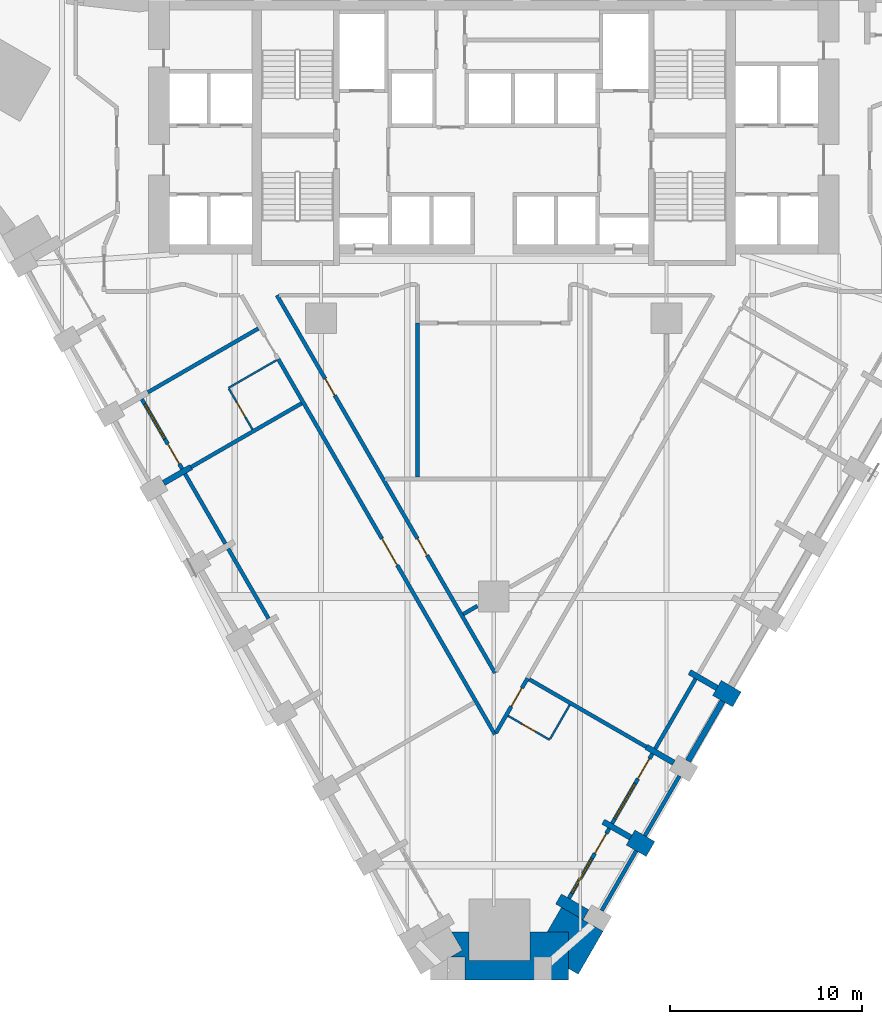
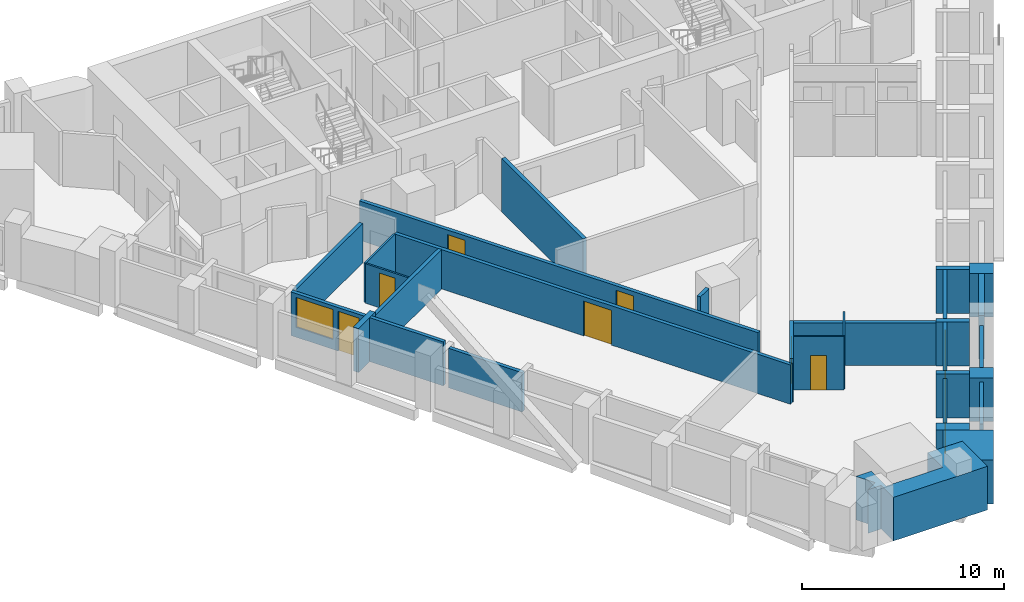
# One storey, part 3 of 10: 30 walls, 9 doors, 3 windows, 12 openings.
"""IFC4 building model written with IfcOpenShell, lengths in metres."""

from ifc_helpers import new_model, si_unit, direction, frame, frame_2d, origin, place, context, subcontext, project, spatial, polyline, rectangle, outline, extrude, material, layer, layer_set, type_object, element, fill, save


model = new_model("IFC4")

# Units and contexts
model_context = context("Model", 3, precision=1e-05, world=origin(), true_north=direction((0.0, 1.0)))
body_context = subcontext(model_context, "Body", "Model", "MODEL_VIEW")
ifc_project = project(units=[si_unit("LENGTHUNIT", "METRE"), si_unit("AREAUNIT", "SQUARE_METRE"), si_unit("VOLUMEUNIT", "CUBIC_METRE"), si_unit("PLANEANGLEUNIT", "RADIAN"), si_unit("MASSUNIT", "GRAM", prefix="KILO")], contexts=[model_context])

# Site, building, storey
site_placement = place(None, origin())
site = spatial("IfcSite", under=ifc_project, at=site_placement, CompositionType="ELEMENT")
building_placement = place(site_placement, origin())
building = spatial("IfcBuilding", under=site, at=building_placement, Name="Calabash Gate Tower", CompositionType="ELEMENT")
storey_placement = place(building_placement, frame((0.0, 0.0, 59.60009765625)))
storey = spatial("IfcBuildingStorey", under=building, at=storey_placement, Name="L10", CompositionType="ELEMENT", Elevation=59.60009765625)

# Walls
ifc_material_1 = material(Name="Terracotta brick masonry, exposed face", Category="masonry")
ifc_layer_1 = layer(ifc_material_1, 2.5)
ifc_layer_set_1 = layer_set([ifc_layer_1], Name="Brick corner mass wall 2500")
wall_type_1 = type_object("IfcWallType", Name="Brick corner mass wall 2500", PredefinedType="SOLIDWALL", material=ifc_layer_set_1)
wall_1_placement = place(storey_placement, origin())
element("IfcWall", 1, at=wall_1_placement, inside=storey, type_object=wall_type_1, Name="Brick corner pier S02 2bb", PredefinedType="SOLIDWALL", context=body_context, shape_type="SweptSolid", body=[
    extrude(outline(polyline([(-1.501953125, -30.780029296875), (-1.501953125, -31.97998046875), (3.8828125, -31.97998046875), (3.8828125, -29.47998046875), (1.89794921875, -29.47998046875), (1.89794921875, -30.9541015625), (-1.302001953125, -30.9541015625), (-1.302001953125, -29.47998046875), (-2.189208984375, -29.47998046875), (-1.640625, -30.43017578125), (-2.246826171875, -30.780029296875), (-1.501953125, -30.780029296875)])), origin(), (0.0, 0.0, 1.0), 2.6298828125),
])
wall_2_placement = place(storey_placement, origin())
element("IfcWall", 2, at=wall_2_placement, inside=storey, type_object=wall_type_1, Name="Brick corner pier S02 2c", PredefinedType="SOLIDWALL", context=body_context, shape_type="SweptSolid", body=[
    extrude(outline(polyline([(5.69384765625, -29.443115234375), (3.52880859375, -28.193115234375), (2.78564453125, -29.47998046875), (3.8828125, -29.47998046875), (3.8828125, -31.380126953125), (4.40234375, -31.68017578125), (5.69384765625, -29.443115234375)])), origin(), (0.0, 0.0, 1.0), 2.6298828125),
])
ifc_material_2 = material(Name="Terracotta brick masonry, exposed face", Category="masonry")
ifc_layer_2 = layer(ifc_material_2, 1.199951171875)
ifc_layer_set_2 = layer_set([ifc_layer_2], Name="Brick end wall 1200")
wall_type_2 = type_object("IfcWallType", Name="Brick end wall 1200", PredefinedType="SOLIDWALL", material=ifc_layer_set_2)
wall_3_placement = place(storey_placement, frame((8.168701171875, -25.156494140625, 0.0), z_axis=(0.0, 0.0, 1.0), x_axis=(-0.865955154139, 0.50012165622, 0.0)))
element("IfcWall", 3, at=wall_3_placement, inside=storey, type_object=wall_type_2, Name="Brick pier S02 SE2.1", PredefinedType="SOLIDWALL", context=body_context, shape_type="SweptSolid", body=[
    extrude(rectangle(XDim=1.199951171875, YDim=0.89990234375, at=frame_2d((0.60009765625, 0.0))), origin(), (0.0, 0.0, 1.0), 2.6298828125),
])
wall_4_placement = place(storey_placement, frame((11.629638671875, -16.76220703125, 0.0), z_axis=(0.0, 0.0, 1.0), x_axis=(0.866043267704, -0.499969057507, 0.0)))
element("IfcWall", 4, at=wall_4_placement, inside=storey, type_object=wall_type_2, Name="Brick pier S02 SE2.3", PredefinedType="SOLIDWALL", context=body_context, shape_type="SweptSolid", body=[
    extrude(rectangle(XDim=1.19970703125, YDim=0.89990234375, at=frame_2d((0.599853515625, 0.0))), origin(), (0.0, 0.0, 1.0), 2.6298828125),
])
ifc_material_3 = material(Name="Terracotta brick masonry, exposed face", Category="masonry")
ifc_layer_3 = layer(ifc_material_3, 0.300048828125)
ifc_layer_set_3 = layer_set([ifc_layer_3], Name="Brick infill panel wall 300")
wall_type_3 = type_object("IfcWallType", Name="Brick infill panel wall 300", PredefinedType="SOLIDWALL", material=ifc_layer_set_3)
wall_5_placement = place(storey_placement, frame((10.124267578125, -20.569580078125, 0.0), z_axis=(0.0, 0.0, 1.0), x_axis=(0.499961193289, 0.866047807691, 0.0)))
element("IfcWall", 5, at=wall_5_placement, inside=storey, type_object=wall_type_3, Name="Brick panel S02 SE2.3", PredefinedType="SOLIDWALL", context=body_context, shape_type="SweptSolid", body=[
    extrude(rectangle(XDim=3.599853515625, YDim=0.300048828125, at=frame_2d((1.7998046875, 0.0))), origin(), (0.0, 0.0, 1.0), 2.6298828125),
])
ifc_material_4 = material(Name="Terracotta brick masonry, exposed face", Category="masonry")
ifc_layer_4 = layer(ifc_material_4, 0.300048828125)
ifc_layer_set_4 = layer_set([ifc_layer_4], Name="Brick loggia cheek wall 300")
wall_type_4 = type_object("IfcWallType", Name="Brick loggia cheek wall 300", PredefinedType="SOLIDWALL", material=ifc_layer_set_4)
wall_6_placement = place(storey_placement, frame((-17.2001953125, -6.080322265625, 0.0), z_axis=(0.0, 0.0, 1.0), x_axis=(0.866040211805, 0.499974350878, 0.0)))
element("IfcWall", 6, at=wall_6_placement, inside=storey, type_object=wall_type_4, Name="Loggia cheek S02 SW0.3", PredefinedType="SOLIDWALL", context=body_context, shape_type="SweptSolid", body=[
    extrude(rectangle(XDim=1.64990234375, YDim=0.300048828125, at=frame_2d((0.824951171875, 0.0))), origin(), (0.0, 0.0, 1.0), 2.64990234375),
])
wall_7_placement = place(storey_placement, frame((4.804443359375, -28.58349609375, 0.0), z_axis=(0.0, 0.0, 1.0), x_axis=(-0.865976140824, 0.500085316245, 0.0)))
element("IfcWall", 7, at=wall_7_placement, inside=storey, type_object=wall_type_4, Name="Loggia cheek S02 SE2.0", PredefinedType="SOLIDWALL", context=body_context, shape_type="SweptSolid", body=[
    extrude(rectangle(XDim=1.650146484375, YDim=0.60009765625, at=frame_2d((0.8251953125, 0.0))), origin(), (0.0, 0.0, 1.0), 2.64990234375),
])
wall_8_placement = place(storey_placement, frame((7.129638671875, -24.556396484375, 0.0), z_axis=(0.0, 0.0, 1.0), x_axis=(-0.866040211805, 0.499974350878, 0.0)))
element("IfcWall", 8, at=wall_8_placement, inside=storey, type_object=wall_type_4, Name="Loggia cheek S02 SE2.1", PredefinedType="SOLIDWALL", context=body_context, shape_type="SweptSolid", body=[
    extrude(rectangle(XDim=1.64990234375, YDim=0.300048828125, at=frame_2d((0.824951171875, 0.0))), origin(), (0.0, 0.0, 1.0), 2.64990234375),
])
wall_9_placement = place(storey_placement, frame((9.37939453125, -20.6591796875, 0.0), z_axis=(0.0, 0.0, 1.0), x_axis=(-0.866003217194, 0.500038426333, 0.0)))
element("IfcWall", 9, at=wall_9_placement, inside=storey, type_object=wall_type_4, Name="Loggia cheek S02 SE2.2", PredefinedType="SOLIDWALL", context=body_context, shape_type="SweptSolid", body=[
    extrude(rectangle(XDim=1.649658203125, YDim=0.300048828125, at=frame_2d((0.82470703125, 0.0))), origin(), (0.0, 0.0, 1.0), 2.64990234375),
])
wall_10_placement = place(storey_placement, frame((11.629638671875, -16.76220703125, 0.0), z_axis=(0.0, 0.0, 1.0), x_axis=(-0.866040211805, 0.499974350878, 0.0)))
element("IfcWall", 10, at=wall_10_placement, inside=storey, type_object=wall_type_4, Name="Loggia cheek S02 SE2.3", PredefinedType="SOLIDWALL", context=body_context, shape_type="SweptSolid", body=[
    extrude(rectangle(XDim=1.64990234375, YDim=0.300048828125, at=frame_2d((0.824951171875, 0.0))), origin(), (0.0, 0.0, 1.0), 2.64990234375),
])
ifc_material_5 = material(Name="Gypsum board on steel studs, mineral wool", Category="steel")
ifc_layer_5 = layer(ifc_material_5, 0.10009765625)
ifc_layer_set_5 = layer_set([ifc_layer_5], Name="Partition 100 gypsum board")
wall_type_5 = type_object("IfcWallType", Name="Partition 100 gypsum board", PredefinedType="PARTITIONING", material=ifc_layer_set_5)
wall_11_placement = place(storey_placement, frame((2.935302734375, -19.421875, 0.0), z_axis=(0.0, 0.0, 1.0), x_axis=(0.499354689006, 0.866397653833, 0.0)))
element("IfcWall", 11, at=wall_11_placement, inside=storey, type_object=wall_type_5, Name="Partition", PredefinedType="PARTITIONING", context=body_context, shape_type="SweptSolid", body=[
    extrude(rectangle(XDim=2.050048828125, YDim=0.10009765625, at=frame_2d((1.02490234375, 0.0))), origin(), (0.0, 0.0, 1.0), 3.22998046875),
])

# Wall, opening, door
wall_12_placement = place(storey_placement, frame((0.745361328125, -18.215087890625, 0.0), z_axis=(0.0, 0.0, 1.0), x_axis=(0.866022959057, -0.500004234368, 0.0)))
wall_12 = element("IfcWall", 12, at=wall_12_placement, inside=storey, type_object=wall_type_5, Name="Partition", PredefinedType="PARTITIONING", context=body_context, shape_type="SweptSolid", body=[
    extrude(rectangle(XDim=2.5, YDim=0.10009765625, at=frame_2d((1.25, 0.0))), origin(), (0.0, 0.0, 1.0), 3.22998046875),
])
opening_1_placement = place(wall_12_placement, frame((0.85009765625, 0.0, 0.0)))
opening_1 = element("IfcOpeningElement", 13, at=opening_1_placement, cuts=wall_12, Name="Opening 09-11-011", PredefinedType="OPENING", context=body_context, shape_type="SweptSolid", body=[
    extrude(rectangle(XDim=0.800048828125, YDim=2.10009765625, at=frame_2d((0.39990234375, 1.050048828125))), frame((0.0, 0.06005859375, 0.0), z_axis=(0.0, -1.0, 0.0), x_axis=(1.0, 0.0, 0.0)), (0.0, 0.0, 1.0), 0.1201171875),
])
ifc_material_6 = material(Name="Painted timber door", Category="wood")
door_type_1 = type_object("IfcDoorType", Name="GD5 En-suite door 800x2100", OperationType="NOTDEFINED", PredefinedType="DOOR", material=ifc_material_6)
door_1_placement = place(opening_1_placement, origin())
door_1 = element("IfcDoor", 14, at=door_1_placement, inside=storey, type_object=door_type_1, Name="En-suite door", OperationType="SINGLE_SWING_LEFT", OverallHeight=2.10009765625, OverallWidth=0.800048828125, PredefinedType="DOOR", context=body_context, shape_type="SweptSolid", body=[
    extrude(rectangle(XDim=0.800048828125, YDim=2.10009765625, at=frame_2d((0.39990234375, 1.050048828125))), frame((0.0, 0.02490234375, 0.0), z_axis=(0.0, -1.0, 0.0), x_axis=(1.0, 0.0, 0.0)), (0.0, 0.0, 1.0), 0.050048828125),
])
fill(opening_1, door_1)

wall_13_placement = place(storey_placement, frame((-13.798583984375, -1.171875, 0.0), z_axis=(0.0, 0.0, 1.0), x_axis=(0.500018594424, -0.866014668023, 0.0)))
wall_13 = element("IfcWall", 15, at=wall_13_placement, inside=storey, type_object=wall_type_5, Name="Partition", PredefinedType="PARTITIONING", context=body_context, shape_type="SweptSolid", body=[
    extrude(rectangle(XDim=2.4501953125, YDim=0.10009765625, at=frame_2d((1.22509765625, 0.0))), origin(), (0.0, 0.0, 1.0), 2.384033203125),
])
opening_2_placement = place(wall_13_placement, frame((0.800048828125, 0.0, 0.0)))
opening_2 = element("IfcOpeningElement", 16, at=opening_2_placement, cuts=wall_13, Name="Opening 09-11-002", PredefinedType="OPENING", context=body_context, shape_type="SweptSolid", body=[
    extrude(rectangle(XDim=0.89990234375, YDim=2.10009765625, at=frame_2d((0.449951171875, 1.050048828125))), frame((0.0, 0.06005859375, 0.0), z_axis=(0.0, -1.0, 0.0), x_axis=(1.0, 0.0, 0.0)), (0.0, 0.0, 1.0), 0.1201171875),
])
ifc_material_7 = material(Name="Painted timber door", Category="wood")
door_type_2 = type_object("IfcDoorType", Name="GD6 Accessible en-suite door 900x2100", OperationType="NOTDEFINED", PredefinedType="DOOR", material=ifc_material_7)
door_2_placement = place(opening_2_placement, origin())
door_2 = element("IfcDoor", 17, at=door_2_placement, inside=storey, type_object=door_type_2, Name="Accessible en-suite door", OperationType="SINGLE_SWING_LEFT", OverallHeight=2.10009765625, OverallWidth=0.89990234375, PredefinedType="DOOR", context=body_context, shape_type="SweptSolid", body=[
    extrude(rectangle(XDim=0.89990234375, YDim=2.10009765625, at=frame_2d((0.449951171875, 1.050048828125))), frame((0.0, 0.02490234375, 0.0), z_axis=(0.0, -1.0, 0.0), x_axis=(1.0, 0.0, 0.0)), (0.0, 0.0, 1.0), 0.050048828125),
])
fill(opening_2, door_2)

# Wall
wall_14_placement = place(storey_placement, frame((-13.823486328125, -1.128662109375, 0.0), z_axis=(0.0, 0.0, 1.0), x_axis=(0.866314505181, 0.49949892704, 0.0)))
element("IfcWall", 18, at=wall_14_placement, inside=storey, type_object=wall_type_5, Name="Partition", PredefinedType="PARTITIONING", context=body_context, shape_type="SweptSolid", body=[
    extrude(rectangle(XDim=2.89990234375, YDim=0.10009765625, at=frame_2d((1.449951171875, 0.0))), origin(), (0.0, 0.0, 1.0), 2.384033203125),
])

# Wall, opening, door
ifc_material_8 = material(Name="Gypsum board on steel studs, mineral wool", Category="steel")
ifc_layer_6 = layer(ifc_material_8, 0.199951171875)
ifc_layer_set_6 = layer_set([ifc_layer_6], Name="Partition 200 gypsum board EI 60")
wall_type_6 = type_object("IfcWallType", Name="Partition 200 gypsum board EI 60", PredefinedType="PARTITIONING", material=ifc_layer_set_6)
wall_15_placement = place(storey_placement, frame((-11.227294921875, 0.370361328125, 0.0), z_axis=(0.0, 0.0, 1.0), x_axis=(0.500006900114, -0.866021419965, 0.0)))
wall_15 = element("IfcWall", 19, at=wall_15_placement, inside=storey, type_object=wall_type_6, Name="Partition", PredefinedType="PARTITIONING", context=body_context, shape_type="SweptSolid", body=[
    extrude(rectangle(XDim=22.586181640625, YDim=0.199951171875, at=frame_2d((11.29296875, 0.0))), origin(), (0.0, 0.0, 1.0), 2.3740234375),
])
opening_3_placement = place(wall_15_placement, frame((10.800048828125, 0.0, 0.0)))
opening_3 = element("IfcOpeningElement", 20, at=opening_3_placement, cuts=wall_15, Name="Opening 09-11-003", PredefinedType="OPENING", context=body_context, shape_type="SweptSolid", body=[
    extrude(rectangle(XDim=1.60009765625, YDim=2.10009765625, at=frame_2d((0.800048828125, 1.050048828125))), frame((0.0, 0.10986328125, 0.0), z_axis=(0.0, -1.0, 0.0), x_axis=(1.0, 0.0, 0.0)), (0.0, 0.0, 1.0), 0.219970703125),
])
ifc_material_9 = material(Name="Steel fire door set with fire-resisting glazing", Category="steel")
door_type_3 = type_object("IfcDoorType", Name="LD1 Lounge double door 1600x2100", OperationType="NOTDEFINED", PredefinedType="DOOR", material=ifc_material_9)
door_3_placement = place(opening_3_placement, origin())
door_3 = element("IfcDoor", 21, at=door_3_placement, inside=storey, type_object=door_type_3, Name="Lounge double door", OperationType="DOUBLE_DOOR_SINGLE_SWING", OverallHeight=2.10009765625, OverallWidth=1.60009765625, PredefinedType="DOOR", context=body_context, shape_type="SweptSolid", body=[
    extrude(rectangle(XDim=1.60009765625, YDim=2.10009765625, at=frame_2d((0.800048828125, 1.050048828125))), frame((0.0, 0.02490234375, 0.0), z_axis=(0.0, -1.0, 0.0), x_axis=(1.0, 0.0, 0.0)), (0.0, 0.0, 1.0), 0.050048828125),
])
fill(opening_3, door_3)

wall_16_placement = place(storey_placement, frame((0.11767578125, -19.102294921875, 0.0), z_axis=(0.0, 0.0, 1.0), x_axis=(0.500402764758, 0.865792742533, 0.0)))
wall_16 = element("IfcWall", 22, at=wall_16_placement, inside=storey, type_object=wall_type_6, Name="Partition", PredefinedType="PARTITIONING", context=body_context, shape_type="SweptSolid", body=[
    extrude(rectangle(XDim=3.281982421875, YDim=0.199951171875, at=frame_2d((1.64111328125, 0.0))), origin(), (0.0, 0.0, 1.0), 2.6279296875),
])
opening_4_placement = place(wall_16_placement, frame((1.59130859375, 0.0, 0.0)))
opening_4 = element("IfcOpeningElement", 23, at=opening_4_placement, cuts=wall_16, Name="Opening 09-11-020", PredefinedType="OPENING", context=body_context, shape_type="SweptSolid", body=[
    extrude(rectangle(XDim=1.10009765625, YDim=2.10009765625, at=frame_2d((0.550048828125, 1.050048828125))), frame((0.0, 0.10986328125, 0.0), z_axis=(0.0, -1.0, 0.0), x_axis=(1.0, 0.0, 0.0)), (0.0, 0.0, 1.0), 0.219970703125),
])
ifc_material_10 = material(Name="Steel fire door set with fire-resisting glazing", Category="steel")
door_type_4 = type_object("IfcDoorType", Name="GD3 Suite entrance door 1100x2100", OperationType="NOTDEFINED", PredefinedType="DOOR", material=ifc_material_10)
door_4_placement = place(opening_4_placement, origin())
door_4 = element("IfcDoor", 24, at=door_4_placement, inside=storey, type_object=door_type_4, Name="Suite entrance door", OperationType="SINGLE_SWING_LEFT", OverallHeight=2.10009765625, OverallWidth=1.10009765625, PredefinedType="DOOR", context=body_context, shape_type="SweptSolid", body=[
    extrude(rectangle(XDim=1.10009765625, YDim=2.10009765625, at=frame_2d((0.550048828125, 1.050048828125))), frame((0.0, 0.02490234375, 0.0), z_axis=(0.0, -1.0, 0.0), x_axis=(1.0, 0.0, 0.0)), (0.0, 0.0, 1.0), 0.050048828125),
])
fill(opening_4, door_4)

# Walls
wall_17_placement = place(storey_placement, frame((1.844482421875, -16.311279296875, 0.0), z_axis=(0.0, 0.0, 1.0), x_axis=(0.866037373075, -0.499979268008, 0.0)))
element("IfcWall", 25, at=wall_17_placement, inside=storey, type_object=wall_type_6, Name="Partition", PredefinedType="PARTITIONING", context=body_context, shape_type="SweptSolid", body=[
    extrude(rectangle(XDim=7.049560546875, YDim=0.199951171875, at=frame_2d((3.52490234375, 0.0))), origin(), (0.0, 0.0, 1.0), 2.5517578125),
])
wall_18_placement = place(storey_placement, frame((-1.590576171875, -12.916259765625, 0.0), z_axis=(0.0, 0.0, 1.0), x_axis=(0.866903215232, 0.498476494351, 0.0)))
element("IfcWall", 26, at=wall_18_placement, inside=storey, type_object=wall_type_6, Name="Partition", PredefinedType="PARTITIONING", context=body_context, shape_type="SweptSolid", body=[
    extrude(rectangle(XDim=0.854248046875, YDim=0.199951171875, at=frame_2d((0.42724609375, 0.0))), origin(), (0.0, 0.0, 1.0), 3.22998046875),
])
wall_19_placement = place(storey_placement, frame((-15.77099609375, -5.25537109375, 0.0), z_axis=(0.0, 0.0, 1.0), x_axis=(0.866166026107, 0.499756355856, 0.0)))
element("IfcWall", 27, at=wall_19_placement, inside=storey, type_object=wall_type_6, Name="Partition", PredefinedType="PARTITIONING", context=body_context, shape_type="SweptSolid", body=[
    extrude(rectangle(XDim=6.649658203125, YDim=0.199951171875, at=frame_2d((3.32470703125, 0.0))), origin(), (0.0, 0.0, 1.0), 2.384033203125),
])
wall_20_placement = place(storey_placement, frame((-18.021484375, -1.357666015625, 0.0), z_axis=(0.0, 0.0, 1.0), x_axis=(0.865919508558, 0.500183371074, 0.0)))
element("IfcWall", 28, at=wall_20_placement, inside=storey, type_object=wall_type_6, Name="Partition", PredefinedType="PARTITIONING", context=body_context, shape_type="SweptSolid", body=[
    extrude(rectangle(XDim=6.64794921875, YDim=0.199951171875, at=frame_2d((3.323974609375, 0.0))), origin(), (0.0, 0.0, 1.0), 2.384033203125),
])
wall_21_placement = place(storey_placement, frame((-3.979248046875, 2.25244140625, 0.0), z_axis=(0.0, 0.0, 1.0), x_axis=(0.000213083311, -0.999999977298, 0.0)))
element("IfcWall", 29, at=wall_21_placement, inside=storey, type_object=wall_type_6, Name="Partition", PredefinedType="PARTITIONING", context=body_context, shape_type="SweptSolid", body=[
    extrude(rectangle(XDim=8.020263671875, YDim=0.199951171875, at=frame_2d((4.01025390625, 0.0))), origin(), (0.0, 0.0, 1.0), 3.22998046875),
])

# Wall, openings, doors
wall_22_placement = place(storey_placement, frame((-11.29931640625, 3.69970703125, 0.0), z_axis=(0.0, 0.0, 1.0), x_axis=(0.500141073811, -0.86594393946, 0.0)))
wall_22 = element("IfcWall", 30, at=wall_22_placement, inside=storey, type_object=wall_type_6, Name="Partition", PredefinedType="PARTITIONING", context=body_context, shape_type="SweptSolid", body=[
    extrude(rectangle(XDim=22.7333984375, YDim=0.199951171875, at=frame_2d((11.36669921875, 0.0))), origin(), (0.0, 0.0, 1.0), 2.3740234375),
])
opening_5_placement = place(wall_22_placement, frame((5.02490234375, 0.0, 0.0)))
opening_5 = element("IfcOpeningElement", 31, at=opening_5_placement, cuts=wall_22, Name="Opening 09-11-005", PredefinedType="OPENING", context=body_context, shape_type="SweptSolid", body=[
    extrude(rectangle(XDim=1.0, YDim=2.10009765625, at=frame_2d((0.5, 1.050048828125))), frame((0.0, 0.10986328125, 0.0), z_axis=(0.0, -1.0, 0.0), x_axis=(1.0, 0.0, 0.0)), (0.0, 0.0, 1.0), 0.219970703125),
])
opening_6_placement = place(wall_22_placement, frame((14.64697265625, 0.0, 0.0)))
opening_6 = element("IfcOpeningElement", 32, at=opening_6_placement, cuts=wall_22, Name="Opening 09-11-010", PredefinedType="OPENING", context=body_context, shape_type="SweptSolid", body=[
    extrude(rectangle(XDim=1.0, YDim=2.10009765625, at=frame_2d((0.5, 1.050048828125))), frame((0.0, 0.10986328125, 0.0), z_axis=(0.0, -1.0, 0.0), x_axis=(1.0, 0.0, 0.0)), (0.0, 0.0, 1.0), 0.219970703125),
])
ifc_material_11 = material(Name="Steel fire door set with fire-resisting glazing", Category="steel")
door_type_5 = type_object("IfcDoorType", Name="LD2 Meeting room door 1000x2100", OperationType="NOTDEFINED", PredefinedType="DOOR", material=ifc_material_11)
door_5_placement = place(opening_5_placement, origin())
door_5 = element("IfcDoor", 33, at=door_5_placement, inside=storey, type_object=door_type_5, Name="Meeting room door", OperationType="SINGLE_SWING_LEFT", OverallHeight=2.10009765625, OverallWidth=1.0, PredefinedType="DOOR", context=body_context, shape_type="SweptSolid", body=[
    extrude(rectangle(XDim=1.0, YDim=2.10009765625, at=frame_2d((0.5, 1.050048828125))), frame((0.0, 0.02490234375, 0.0), z_axis=(0.0, -1.0, 0.0), x_axis=(1.0, 0.0, 0.0)), (0.0, 0.0, 1.0), 0.050048828125),
])
fill(opening_5, door_5)
door_6_placement = place(opening_6_placement, origin())
door_6 = element("IfcDoor", 34, at=door_6_placement, inside=storey, type_object=door_type_5, Name="Meeting room door", OperationType="SINGLE_SWING_RIGHT", OverallHeight=2.10009765625, OverallWidth=1.0, PredefinedType="DOOR", context=body_context, shape_type="SweptSolid", body=[
    extrude(rectangle(XDim=1.0, YDim=2.10009765625, at=frame_2d((0.5, 1.050048828125))), frame((0.0, 0.02490234375, 0.0), z_axis=(0.0, -1.0, 0.0), x_axis=(1.0, 0.0, 0.0)), (0.0, 0.0, 1.0), 0.050048828125),
])
fill(opening_6, door_6)

# Walls
ifc_material_12 = material(Name="Terracotta brick masonry, perforated", Category="masonry")
ifc_layer_7 = layer(ifc_material_12, 0.199951171875)
ifc_layer_set_7 = layer_set([ifc_layer_7], Name="Terracotta jaali screen B")
wall_type_7 = type_object("IfcWallType", Name="Terracotta jaali screen B", PredefinedType="SOLIDWALL", material=ifc_layer_set_7)
wall_23_placement = place(storey_placement, frame((5.624267578125, -28.36376953125, 0.0), z_axis=(0.0, 0.0, 1.0), x_axis=(0.499961193289, 0.866047807691, 0.0)))
element("IfcWall", 35, at=wall_23_placement, inside=storey, type_object=wall_type_7, Name="SCREEN B S02 SE2.1", PredefinedType="SOLIDWALL", context=body_context, shape_type="SweptSolid", body=[
    extrude(rectangle(XDim=3.599853515625, YDim=0.199951171875, at=frame_2d((1.7998046875, 0.0))), origin(), (0.0, 0.0, 1.0), 2.3740234375),
])
wall_24_placement = place(storey_placement, frame((7.874267578125, -24.466552734375, 0.0), z_axis=(0.0, 0.0, 1.0), x_axis=(0.499961193289, 0.866047807691, 0.0)))
element("IfcWall", 36, at=wall_24_placement, inside=storey, type_object=wall_type_7, Name="SCREEN B S02 SE2.2", PredefinedType="SOLIDWALL", context=body_context, shape_type="SweptSolid", body=[
    extrude(rectangle(XDim=3.599853515625, YDim=0.199951171875, at=frame_2d((1.7998046875, 0.0))), origin(), (0.0, 0.0, 1.0), 2.6298828125),
])

# Wall, openings, door, window
ifc_material_13 = material(Name="Aluminium framed window wall with insulated spandrel", Category="aluminium")
ifc_layer_8 = layer(ifc_material_13, 0.199951171875)
ifc_layer_set_8 = layer_set([ifc_layer_8], Name="Window wall 200")
wall_type_8 = type_object("IfcWallType", Name="Window wall 200", PredefinedType="ELEMENTEDWALL", material=ifc_layer_set_8)
wall_25_placement = place(storey_placement, frame((-18.3359375, -1.713134765625, 0.0), z_axis=(0.0, 0.0, 1.0), x_axis=(0.500027713859, -0.866009402589, 0.0)))
wall_25 = element("IfcWall", 37, at=wall_25_placement, inside=storey, type_object=wall_type_8, Name="Window wall S02 SW0.3", PredefinedType="ELEMENTEDWALL", context=body_context, shape_type="SweptSolid", body=[
    extrude(rectangle(XDim=4.199951171875, YDim=0.199951171875, at=frame_2d((2.10009765625, 0.0))), origin(), (0.0, 0.0, 1.0), 2.6279296875),
])
opening_7_placement = place(wall_25_placement, frame((0.300048828125, 0.0, 0.60009765625)))
opening_7 = element("IfcOpeningElement", 38, at=opening_7_placement, cuts=wall_25, Name="Opening HW1", PredefinedType="OPENING", context=body_context, shape_type="SweptSolid", body=[
    extrude(rectangle(XDim=2.10009765625, YDim=1.800048828125, at=frame_2d((1.050048828125, 0.89990234375))), frame((0.0, 0.10986328125, 0.0), z_axis=(0.0, -1.0, 0.0), x_axis=(1.0, 0.0, 0.0)), (0.0, 0.0, 1.0), 0.219970703125),
])
opening_8_placement = place(wall_25_placement, frame((2.699951171875, 0.0, 0.0)))
opening_8 = element("IfcOpeningElement", 39, at=opening_8_placement, cuts=wall_25, Name="Opening H2-025", PredefinedType="OPENING", context=body_context, shape_type="SweptSolid", body=[
    extrude(rectangle(XDim=1.199951171875, YDim=2.39990234375, at=frame_2d((0.60009765625, 1.199951171875))), frame((0.0, 0.10986328125, 0.0), z_axis=(0.0, -1.0, 0.0), x_axis=(1.0, 0.0, 0.0)), (0.0, 0.0, 1.0), 0.219970703125),
])
ifc_material_14 = material(Name="Anodised aluminium frame, bronze finish, impact-rated laminated clear glazing", Category="aluminium")
door_type_6 = type_object("IfcDoorType", Name="Loggia door DH1 1200x2400", OperationType="SLIDING_TO_LEFT", PredefinedType="DOOR", material=ifc_material_14)
door_7_placement = place(opening_8_placement, origin())
door_7 = element("IfcDoor", 40, at=door_7_placement, inside=storey, type_object=door_type_6, Name="Loggia door S02 SW0.3", OperationType="SINGLE_SWING_LEFT", OverallHeight=2.39990234375, OverallWidth=1.199951171875, PredefinedType="DOOR", context=body_context, shape_type="SweptSolid", body=[
    extrude(rectangle(XDim=1.199951171875, YDim=2.39990234375, at=frame_2d((0.60009765625, 1.199951171875))), frame((0.0, 0.02490234375, 0.0), z_axis=(0.0, -1.0, 0.0), x_axis=(1.0, 0.0, 0.0)), (0.0, 0.0, 1.0), 0.050048828125),
])
fill(opening_8, door_7)
ifc_material_15 = material(Name="Anodised aluminium frame, bronze finish, impact-rated laminated clear glazing", Category="aluminium")
window_type_1 = type_object("IfcWindowType", Name="Window HW1 2100x1800", PartitioningType="DOUBLE_PANEL_VERTICAL", PredefinedType="WINDOW", material=ifc_material_15)
window_1_placement = place(opening_7_placement, origin())
window_1 = element("IfcWindow", 41, at=window_1_placement, inside=storey, type_object=window_type_1, Name="Window HW1 S02 SW0.3", OverallHeight=1.800048828125, OverallWidth=2.10009765625, PartitioningType="SINGLE_PANEL", PredefinedType="WINDOW", context=body_context, shape_type="SweptSolid", body=[
    extrude(rectangle(XDim=2.10009765625, YDim=1.800048828125, at=frame_2d((1.050048828125, 0.89990234375))), frame((0.0, 0.030029296875, 0.0), z_axis=(0.0, -1.0, 0.0), x_axis=(1.0, 0.0, 0.0)), (0.0, 0.0, 1.0), 0.06005859375),
])
fill(opening_7, window_1)

# Walls
wall_26_placement = place(storey_placement, frame((-16.0859375, -5.610107421875, 0.0), z_axis=(0.0, 0.0, 1.0), x_axis=(0.500002543286, -0.866023935413, 0.0)))
element("IfcWall", 42, at=wall_26_placement, inside=storey, type_object=wall_type_8, Name="Window wall S02 SW0.4", PredefinedType="ELEMENTEDWALL", context=body_context, shape_type="SweptSolid", body=[
    extrude(rectangle(XDim=4.2001953125, YDim=0.199951171875, at=frame_2d((2.10009765625, 0.0))), origin(), (0.0, 0.0, 1.0), 2.64990234375),
])
wall_27_placement = place(storey_placement, frame((-13.8359375, -9.50732421875, 0.0), z_axis=(0.0, 0.0, 1.0), x_axis=(0.500027713859, -0.866009402589, 0.0)))
element("IfcWall", 43, at=wall_27_placement, inside=storey, type_object=wall_type_8, Name="Window wall S02 SW0.5", PredefinedType="ELEMENTEDWALL", context=body_context, shape_type="SweptSolid", body=[
    extrude(rectangle(XDim=4.199951171875, YDim=0.199951171875, at=frame_2d((2.10009765625, 0.0))), origin(), (0.0, 0.0, 1.0), 2.3740234375),
])

# Wall, openings, door, window
wall_28_placement = place(storey_placement, frame((3.915283203125, -27.7236328125, 0.0), z_axis=(0.0, 0.0, 1.0), x_axis=(0.500002543286, 0.866023935413, 0.0)))
wall_28 = element("IfcWall", 44, at=wall_28_placement, inside=storey, type_object=wall_type_8, Name="Window wall S02 SE2.1", PredefinedType="ELEMENTEDWALL", context=body_context, shape_type="SweptSolid", body=[
    extrude(rectangle(XDim=4.2001953125, YDim=0.199951171875, at=frame_2d((2.10009765625, 0.0))), origin(), (0.0, 0.0, 1.0), 2.3740234375),
])
opening_9_placement = place(wall_28_placement, frame((0.300048828125, 0.0, 0.60009765625)))
opening_9 = element("IfcOpeningElement", 45, at=opening_9_placement, cuts=wall_28, Name="Opening HW1L-1670", PredefinedType="OPENING", context=body_context, shape_type="SweptSolid", body=[
    extrude(rectangle(XDim=2.10009765625, YDim=1.669921875, at=frame_2d((1.050048828125, 0.8349609375))), frame((0.0, 0.10986328125, 0.0), z_axis=(0.0, -1.0, 0.0), x_axis=(1.0, 0.0, 0.0)), (0.0, 0.0, 1.0), 0.219970703125),
])
opening_10_placement = place(wall_28_placement, frame((2.699951171875, 0.0, 0.0)))
opening_10 = element("IfcOpeningElement", 46, at=opening_10_placement, cuts=wall_28, Name="Opening H2-018", PredefinedType="OPENING", context=body_context, shape_type="SweptSolid", body=[
    extrude(rectangle(XDim=1.199951171875, YDim=2.27001953125, at=frame_2d((0.60009765625, 1.135009765625))), frame((0.0, 0.10986328125, 0.0), z_axis=(0.0, -1.0, 0.0), x_axis=(1.0, 0.0, 0.0)), (0.0, 0.0, 1.0), 0.219970703125),
])
ifc_material_16 = material(Name="Anodised aluminium frame, bronze finish, impact-rated laminated clear glazing", Category="aluminium")
door_type_7 = type_object("IfcDoorType", Name="Loggia door DH1L-2270 1200x2270", OperationType="SLIDING_TO_LEFT", PredefinedType="DOOR", material=ifc_material_16)
door_8_placement = place(opening_10_placement, origin())
door_8 = element("IfcDoor", 47, at=door_8_placement, inside=storey, type_object=door_type_7, Name="Loggia door S02 SE2.1", OperationType="SINGLE_SWING_LEFT", OverallHeight=2.27001953125, OverallWidth=1.199951171875, PredefinedType="DOOR", context=body_context, shape_type="SweptSolid", body=[
    extrude(rectangle(XDim=1.199951171875, YDim=2.27001953125, at=frame_2d((0.60009765625, 1.135009765625))), frame((0.0, 0.02490234375, 0.0), z_axis=(0.0, -1.0, 0.0), x_axis=(1.0, 0.0, 0.0)), (0.0, 0.0, 1.0), 0.050048828125),
])
fill(opening_10, door_8)
ifc_material_17 = material(Name="Anodised aluminium frame, bronze finish, impact-rated laminated clear glazing", Category="aluminium")
window_type_2 = type_object("IfcWindowType", Name="Window HW1L 2100x1670", PartitioningType="DOUBLE_PANEL_VERTICAL", PredefinedType="WINDOW", material=ifc_material_17)
window_2_placement = place(opening_9_placement, origin())
window_2 = element("IfcWindow", 48, at=window_2_placement, inside=storey, type_object=window_type_2, Name="Window HW1 S02 SE2.1", OverallHeight=1.669921875, OverallWidth=2.10009765625, PartitioningType="SINGLE_PANEL", PredefinedType="WINDOW", context=body_context, shape_type="SweptSolid", body=[
    extrude(rectangle(XDim=2.10009765625, YDim=1.669921875, at=frame_2d((1.050048828125, 0.8349609375))), frame((0.0, 0.030029296875, 0.0), z_axis=(0.0, -1.0, 0.0), x_axis=(1.0, 0.0, 0.0)), (0.0, 0.0, 1.0), 0.06005859375),
])
fill(opening_9, window_2)

wall_29_placement = place(storey_placement, frame((6.165283203125, -23.826416015625, 0.0), z_axis=(0.0, 0.0, 1.0), x_axis=(0.500027713859, 0.866009402589, 0.0)))
wall_29 = element("IfcWall", 49, at=wall_29_placement, inside=storey, type_object=wall_type_8, Name="Window wall S02 SE2.2", PredefinedType="ELEMENTEDWALL", context=body_context, shape_type="SweptSolid", body=[
    extrude(rectangle(XDim=4.199951171875, YDim=0.199951171875, at=frame_2d((2.10009765625, 0.0))), origin(), (0.0, 0.0, 1.0), 2.64990234375),
])
opening_11_placement = place(wall_29_placement, frame((0.300048828125, 0.0, 0.60009765625)))
opening_11 = element("IfcOpeningElement", 50, at=opening_11_placement, cuts=wall_29, Name="Opening HW1", PredefinedType="OPENING", context=body_context, shape_type="SweptSolid", body=[
    extrude(rectangle(XDim=2.10009765625, YDim=1.800048828125, at=frame_2d((1.050048828125, 0.89990234375))), frame((0.0, 0.10986328125, 0.0), z_axis=(0.0, -1.0, 0.0), x_axis=(1.0, 0.0, 0.0)), (0.0, 0.0, 1.0), 0.219970703125),
])
opening_12_placement = place(wall_29_placement, frame((2.699951171875, 0.0, 0.0)))
opening_12 = element("IfcOpeningElement", 51, at=opening_12_placement, cuts=wall_29, Name="Opening H2-019", PredefinedType="OPENING", context=body_context, shape_type="SweptSolid", body=[
    extrude(rectangle(XDim=1.199951171875, YDim=2.39990234375, at=frame_2d((0.60009765625, 1.199951171875))), frame((0.0, 0.10986328125, 0.0), z_axis=(0.0, -1.0, 0.0), x_axis=(1.0, 0.0, 0.0)), (0.0, 0.0, 1.0), 0.219970703125),
])
door_9_placement = place(opening_12_placement, origin())
door_9 = element("IfcDoor", 52, at=door_9_placement, inside=storey, type_object=door_type_6, Name="Loggia door S02 SE2.2", OperationType="SINGLE_SWING_LEFT", OverallHeight=2.39990234375, OverallWidth=1.199951171875, PredefinedType="DOOR", context=body_context, shape_type="SweptSolid", body=[
    extrude(rectangle(XDim=1.199951171875, YDim=2.39990234375, at=frame_2d((0.60009765625, 1.199951171875))), frame((0.0, 0.02490234375, 0.0), z_axis=(0.0, -1.0, 0.0), x_axis=(1.0, 0.0, 0.0)), (0.0, 0.0, 1.0), 0.050048828125),
])
fill(opening_12, door_9)
window_3_placement = place(opening_11_placement, origin())
window_3 = element("IfcWindow", 53, at=window_3_placement, inside=storey, type_object=window_type_1, Name="Window HW1 S02 SE2.2", OverallHeight=1.800048828125, OverallWidth=2.10009765625, PartitioningType="SINGLE_PANEL", PredefinedType="WINDOW", context=body_context, shape_type="SweptSolid", body=[
    extrude(rectangle(XDim=2.10009765625, YDim=1.800048828125, at=frame_2d((1.050048828125, 0.89990234375))), frame((0.0, 0.030029296875, 0.0), z_axis=(0.0, -1.0, 0.0), x_axis=(1.0, 0.0, 0.0)), (0.0, 0.0, 1.0), 0.06005859375),
])
fill(opening_11, window_3)

# Wall
wall_30_placement = place(storey_placement, frame((8.415283203125, -19.929443359375, 0.0), z_axis=(0.0, 0.0, 1.0), x_axis=(0.500002543286, 0.866023935413, 0.0)))
element("IfcWall", 54, at=wall_30_placement, inside=storey, type_object=wall_type_8, Name="Window wall S02 SE2.3", PredefinedType="ELEMENTEDWALL", context=body_context, shape_type="SweptSolid", body=[
    extrude(rectangle(XDim=4.2001953125, YDim=0.199951171875, at=frame_2d((2.10009765625, 0.0))), origin(), (0.0, 0.0, 1.0), 2.64990234375),
])

save(model, "model.ifc")
